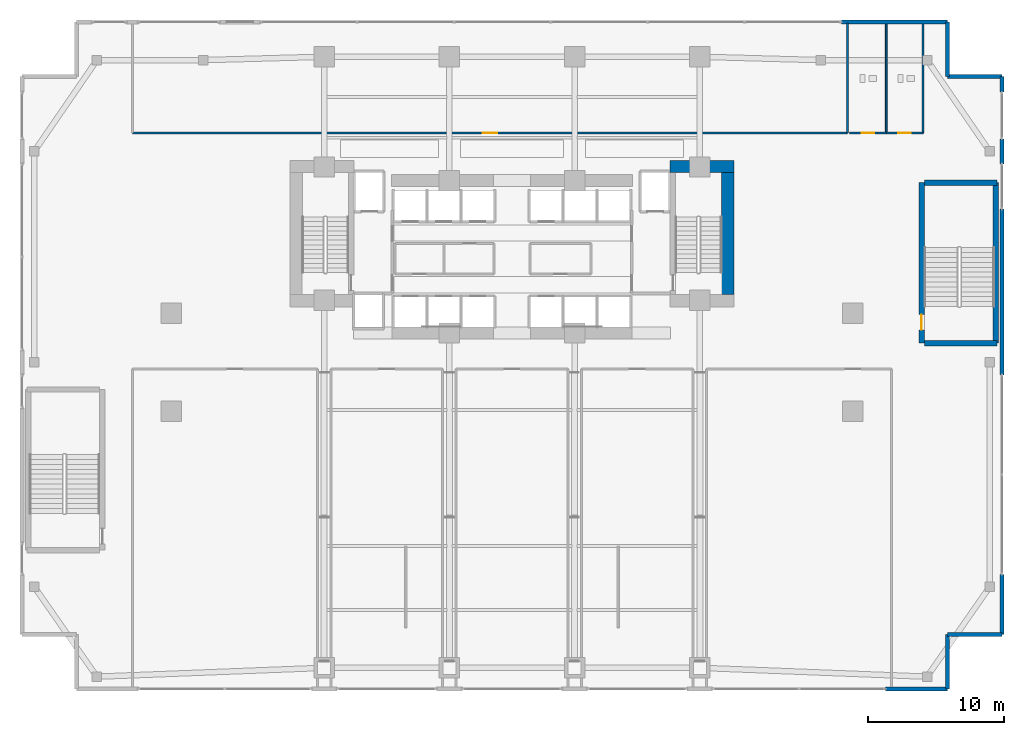
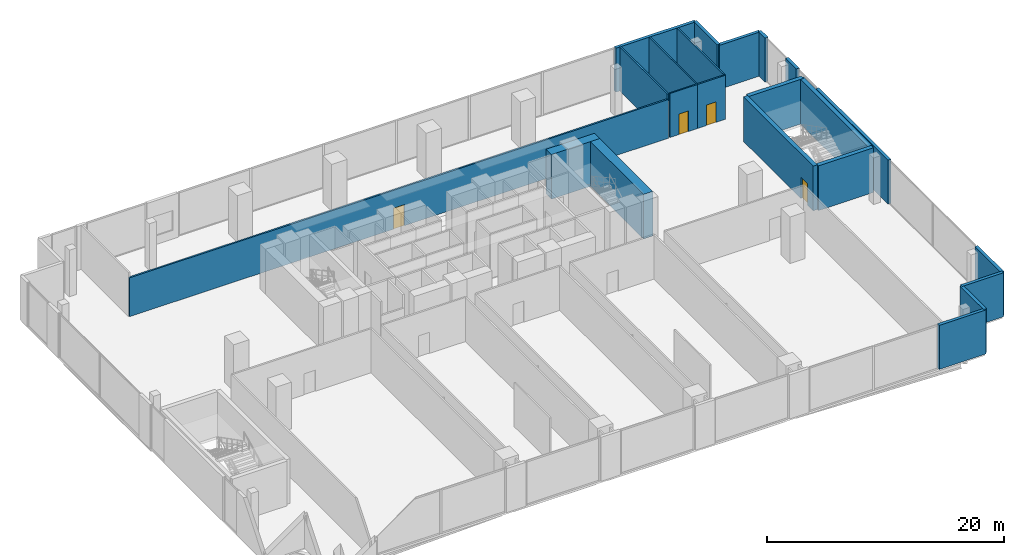
# One storey, part 28 of 33: 22 walls, 4 doors, 4 openings.
"""IFC4 building model written with IfcOpenShell, lengths in metres."""

from ifc_helpers import new_model, si_unit, direction, frame, frame_2d, origin, place, context, subcontext, project, spatial, rectangle, extrude, material, layer, layer_set, type_object, element, fill, save


model = new_model("IFC4")

# Units and contexts
model_context = context("Model", 3, precision=1e-05, world=origin(), true_north=direction((0.0, 1.0)))
body_context = subcontext(model_context, "Body", "Model", "MODEL_VIEW")
ifc_project = project(units=[si_unit("LENGTHUNIT", "METRE"), si_unit("AREAUNIT", "SQUARE_METRE"), si_unit("VOLUMEUNIT", "CUBIC_METRE"), si_unit("PLANEANGLEUNIT", "RADIAN"), si_unit("MASSUNIT", "GRAM", prefix="KILO")], contexts=[model_context])

# Site, building, storey
site_placement = place(None, origin())
site = spatial("IfcSite", under=ifc_project, at=site_placement, CompositionType="ELEMENT")
building_placement = place(site_placement, origin())
building = spatial("IfcBuilding", under=site, at=building_placement, Name="Zuhayl Quay Hotel", CompositionType="ELEMENT")
storey_placement = place(building_placement, frame((0.0, 0.0, 18.0)))
storey = spatial("IfcBuildingStorey", under=building, at=storey_placement, Name="L03", CompositionType="ELEMENT", Elevation=18.0)

# Walls
ifc_material_1 = material(Name="Concrete C70/85", Category="concrete")
ifc_layer_1 = layer(ifc_material_1, 0.89990234375, Name="Concrete C70/85", Category="concrete")
ifc_layer_set_1 = layer_set([ifc_layer_1], Name="Concrete C70/85")
wall_type_1 = type_object("IfcWallType", Name="WL_CORE_900", PredefinedType="SHEAR", material=ifc_layer_set_1)
wall_1_placement = place(storey_placement, frame((11.60009765625, 14.3798828125, 0.0), z_axis=(0.0, 0.0, 1.0), x_axis=(1.0, 0.0, 0.0)))
element("IfcWall", 1, at=wall_1_placement, inside=storey, type_object=wall_type_1, Name="L03 Core Shear Wall CW_NE", PredefinedType="SHEAR", context=body_context, shape_type="SweptSolid", body=[
    extrude(rectangle(XDim=4.7099609375, YDim=0.89990234375, at=frame_2d((2.35498046875, 0.0))), origin(), (0.0, 0.0, 1.0), 4.610107421875),
])
wall_2_placement = place(storey_placement, frame((15.860107421875, 4.969970703125, 0.0), z_axis=(0.0, 0.0, 1.0), x_axis=(0.0, 1.0, 0.0)))
element("IfcWall", 2, at=wall_2_placement, inside=storey, type_object=wall_type_1, Name="L03 Core Shear Wall CW_E", PredefinedType="SHEAR", context=body_context, shape_type="SweptSolid", body=[
    extrude(rectangle(XDim=8.9599609375, YDim=0.89990234375, at=frame_2d((4.47998046875, 0.0))), origin(), (0.0, 0.0, 1.0), 4.610107421875),
])
ifc_material_2 = material(Name="Precast concrete C45/55", Category="concrete")
ifc_layer_2 = layer(ifc_material_2, 0.300048828125, Name="Precast concrete C45/55", Category="concrete")
ifc_layer_set_2 = layer_set([ifc_layer_2], Name="Precast concrete C45/55")
wall_type_2 = type_object("IfcWallType", Name="WL_EXT_300", PredefinedType="STANDARD", material=ifc_layer_set_2)
wall_3_placement = place(storey_placement, frame((24.199951171875, 25.0, 0.0), z_axis=(0.0, 0.0, 1.0), x_axis=(1.0, 0.0, 0.0)))
element("IfcWall", 3, at=wall_3_placement, inside=storey, type_object=wall_type_2, Name="L03 Exterior Precast Wall ENV_L03_E05_EW4", PredefinedType="STANDARD", context=body_context, shape_type="SweptSolid", body=[
    extrude(rectangle(XDim=7.800048828125, YDim=0.300048828125, at=frame_2d((3.89990234375, 0.0))), origin(), (0.0, 0.0, 1.0), 4.5400390625),
])
for number, where, z_axis, x_axis, name in (
    (4, (32.0, 25.0, 0.0), (0.0, 0.0, 1.0), (0.0, -1.0, 0.0), "L03 Exterior Precast Wall ENV_L03_EW06"),
    (5, (32.0, 21.0, 0.0), (0.0, 0.0, 1.0), (1.0, 0.0, 0.0), "L03 Exterior Precast Wall ENV_L03_EW07"),
):
    element("IfcWall", number, at=place(storey_placement, frame(where, z_axis=z_axis, x_axis=x_axis)), inside=storey, type_object=wall_type_2, Name=name, PredefinedType="STANDARD", context=body_context, shape_type="SweptSolid", body=[
        extrude(rectangle(XDim=4.0, YDim=0.300048828125, at=frame_2d((2.0, 0.0))), origin(), (0.0, 0.0, 1.0), 4.5400390625),
    ])
wall_4_placement = place(storey_placement, frame((36.0, 21.0, 0.0), z_axis=(0.0, 0.0, 1.0), x_axis=(0.0, -1.0, 0.0)))
element("IfcWall", 6, at=wall_4_placement, inside=storey, type_object=wall_type_2, Name="L03 Exterior Precast Wall ENV_L03_E08_EW1", PredefinedType="STANDARD", context=body_context, shape_type="SweptSolid", body=[
    extrude(rectangle(XDim=1.14990234375, YDim=0.300048828125, at=frame_2d((0.574951171875, 0.0))), origin(), (0.0, 0.0, 1.0), 4.5400390625),
])
wall_5_placement = place(storey_placement, frame((36.0, 16.419921875, 0.0), z_axis=(0.0, 0.0, 1.0), x_axis=(0.0, -1.0, 0.0)))
element("IfcWall", 7, at=wall_5_placement, inside=storey, type_object=wall_type_2, Name="L03 Exterior Precast Wall ENV_L03_E08_EW2", PredefinedType="STANDARD", context=body_context, shape_type="SweptSolid", body=[
    extrude(rectangle(XDim=1.83984375, YDim=0.300048828125, at=frame_2d((0.919921875, 0.0))), origin(), (0.0, 0.0, 1.0), 4.5400390625),
])
wall_6_placement = place(storey_placement, frame((36.0, 11.25, 0.0), z_axis=(0.0, 0.0, 1.0), x_axis=(0.0, -1.0, 0.0)))
element("IfcWall", 8, at=wall_6_placement, inside=storey, type_object=wall_type_2, Name="L03 Exterior Precast Wall ENV_L03_E08_EW3", PredefinedType="STANDARD", context=body_context, shape_type="SweptSolid", body=[
    extrude(rectangle(XDim=12.169921875, YDim=0.300048828125, at=frame_2d((6.0849609375, 0.0))), origin(), (0.0, 0.0, 1.0), 4.5400390625),
])
wall_7_placement = place(storey_placement, frame((36.0, -15.580078125, 0.0), z_axis=(0.0, 0.0, 1.0), x_axis=(0.0, -1.0, 0.0)))
element("IfcWall", 9, at=wall_7_placement, inside=storey, type_object=wall_type_2, Name="L03 Exterior Precast Wall ENV_L03_E08_EW4", PredefinedType="STANDARD", context=body_context, shape_type="SweptSolid", body=[
    extrude(rectangle(XDim=4.419921875, YDim=0.300048828125, at=frame_2d((2.2099609375, 0.0))), origin(), (0.0, 0.0, 1.0), 4.5400390625),
])
for number, where, z_axis, x_axis, name in (
    (10, (36.0, -20.0, 0.0), (0.0, 0.0, 1.0), (-1.0, 0.0, 0.0), "L03 Exterior Precast Wall ENV_L03_EW09"),
    (11, (32.0, -20.0, 0.0), (0.0, 0.0, 1.0), (0.0, -1.0, 0.0), "L03 Exterior Precast Wall ENV_L03_EW10"),
):
    element("IfcWall", number, at=place(storey_placement, frame(where, z_axis=z_axis, x_axis=x_axis)), inside=storey, type_object=wall_type_2, Name=name, PredefinedType="STANDARD", context=body_context, shape_type="SweptSolid", body=[
        extrude(rectangle(XDim=4.0, YDim=0.300048828125, at=frame_2d((2.0, 0.0))), origin(), (0.0, 0.0, 1.0), 4.5400390625),
    ])
wall_8_placement = place(storey_placement, frame((32.0, -24.0, 0.0), z_axis=(0.0, 0.0, 1.0), x_axis=(-1.0, 0.0, 0.0)))
element("IfcWall", 12, at=wall_8_placement, inside=storey, type_object=wall_type_2, Name="L03 Exterior Precast Wall ENV_L03_E11_EW1", PredefinedType="STANDARD", context=body_context, shape_type="SweptSolid", body=[
    extrude(rectangle(XDim=4.550048828125, YDim=0.300048828125, at=frame_2d((2.27490234375, 0.0))), origin(), (0.0, 0.0, 1.0), 4.5400390625),
])
ifc_material_3 = material(Name="Acoustic Gypsum Partition STC-58")
ifc_layer_3 = layer(ifc_material_3, 0.14990234375, Name="Acoustic Gypsum Partition STC-58")
ifc_layer_set_3 = layer_set([ifc_layer_3], Name="Acoustic Gypsum Partition STC-58")
wall_type_3 = type_object("IfcWallType", Name="WL_PART_150", PredefinedType="PARTITIONING", material=ifc_layer_set_3)
wall_9_placement = place(storey_placement, frame((24.64990234375, 16.85009765625, 0.0), z_axis=(0.0, 0.0, 1.0), x_axis=(0.0, 1.0, 0.0)))
element("IfcWall", 13, at=wall_9_placement, inside=storey, type_object=wall_type_3, Name="L03 Partition IW_L03_PRE_FUNC_N_E", PredefinedType="PARTITIONING", context=body_context, shape_type="SweptSolid", body=[
    extrude(rectangle(XDim=8.08984375, YDim=0.14990234375, at=frame_2d((4.044921875, 0.0))), origin(), (0.0, 0.0, 1.0), 4.5400390625),
])

# Wall, opening, door
ifc_layer_4 = layer(ifc_material_3, 0.159912109375, Name="Acoustic Gypsum Partition STC-58")
ifc_layer_set_4 = layer_set([ifc_layer_4], Name="Acoustic Gypsum Partition STC-58")
wall_type_4 = type_object("IfcWallType", Name="WL_PART_CORR_160", PredefinedType="PARTITIONING", material=ifc_layer_set_4)
wall_10_placement = place(storey_placement, frame((-27.89990234375, 16.85009765625, 0.0), z_axis=(0.0, 0.0, 1.0), x_axis=(1.0, 0.0, 0.0)))
wall_10 = element("IfcWall", 14, at=wall_10_placement, inside=storey, type_object=wall_type_4, Name="L03 Partition IW_L03_PRE_FUNC_N_S", PredefinedType="PARTITIONING", context=body_context, shape_type="SweptSolid", body=[
    extrude(rectangle(XDim=52.5498046875, YDim=0.159912109375, at=frame_2d((26.27490234375, 0.0))), origin(), (0.0, 0.0, 1.0), 4.007080078125),
])
opening_1_placement = place(wall_10_placement, frame((25.735107421875, 0.0, 0.0)))
opening_1 = element("IfcOpeningElement", 15, at=opening_1_placement, cuts=wall_10, Name="Opening D05A", PredefinedType="OPENING", context=body_context, shape_type="SweptSolid", body=[
    extrude(rectangle(XDim=1.080078125, YDim=2.179931640625, at=frame_2d((0.5400390625, 1.08984375))), frame((0.0, 0.08984375, 0.0), z_axis=(0.0, -1.0, 0.0), x_axis=(1.0, 0.0, 0.0)), (0.0, 0.0, 1.0), 0.179931640625),
])
ifc_material_4 = material(Name="Solid Walnut Acoustic Fire Door")
door_type_1 = type_object("IfcDoorType", Name="DR_INT_1100", OperationType="NOTDEFINED", PredefinedType="DOOR", material=ifc_material_4)
door_1_placement = place(opening_1_placement, origin())
door_1 = element("IfcDoor", 16, at=door_1_placement, inside=storey, type_object=door_type_1, Name="L03 Seaward Breakout Lounge Door", OperationType="SINGLE_SWING_RIGHT", OverallHeight=2.179931640625, OverallWidth=1.080078125, PredefinedType="DOOR", context=body_context, shape_type="SweptSolid", body=[
    extrude(rectangle(XDim=1.080078125, YDim=2.179931640625, at=frame_2d((0.5400390625, 1.08984375))), frame((0.0, 0.02490234375, 0.0), z_axis=(0.0, -1.0, 0.0), x_axis=(1.0, 0.0, 0.0)), (0.0, 0.0, 1.0), 0.050048828125),
])
fill(opening_1, door_1)

ifc_material_5 = material(Name="Moisture-Resistant Sanitarychase Gypsum")
ifc_layer_5 = layer(ifc_material_5, 0.135009765625, Name="Moisture-Resistant Sanitarychase Gypsum")
ifc_layer_set_5 = layer_set([ifc_layer_5], Name="Moisture-Resistant Sanitarychase Gypsum")
wall_type_5 = type_object("IfcWallType", Name="WL_PART_PLUMB_150", PredefinedType="PLUMBINGWALL", material=ifc_layer_set_5)
wall_11_placement = place(storey_placement, frame((24.800048828125, 16.85009765625, 0.0), z_axis=(0.0, 0.0, 1.0), x_axis=(1.0, 0.0, 0.0)))
wall_11 = element("IfcWall", 17, at=wall_11_placement, inside=storey, type_object=wall_type_5, Name="L03 Partition IW_L03_PWC_PUB_F", PredefinedType="PLUMBINGWALL", context=body_context, shape_type="SweptSolid", body=[
    extrude(rectangle(XDim=2.699951171875, YDim=0.135009765625, at=frame_2d((1.35009765625, 0.0))), origin(), (0.0, 0.0, 1.0), 4.5400390625),
])
opening_2_placement = place(wall_11_placement, frame((0.889892578125, 0.0, 0.0)))
opening_2 = element("IfcOpeningElement", 18, at=opening_2_placement, cuts=wall_11, Name="Opening D05", PredefinedType="OPENING", context=body_context, shape_type="SweptSolid", body=[
    extrude(rectangle(XDim=0.919921875, YDim=2.1201171875, at=frame_2d((0.4599609375, 1.06005859375))), frame((0.0, 0.077392578125, 0.0), z_axis=(0.0, -1.0, 0.0), x_axis=(1.0, 0.0, 0.0)), (0.0, 0.0, 1.0), 0.155029296875),
])
door_type_2 = type_object("IfcDoorType", Name="DR_INT_950", OperationType="NOTDEFINED", PredefinedType="DOOR", material=ifc_material_4)
door_2_placement = place(opening_2_placement, origin())
door_2 = element("IfcDoor", 19, at=door_2_placement, inside=storey, type_object=door_type_2, Name="L03 Public Restroom Door", OperationType="SINGLE_SWING_LEFT", OverallHeight=2.1201171875, OverallWidth=0.919921875, PredefinedType="DOOR", context=body_context, shape_type="SweptSolid", body=[
    extrude(rectangle(XDim=0.919921875, YDim=2.1201171875, at=frame_2d((0.4599609375, 1.06005859375))), frame((0.0, 0.02490234375, 0.0), z_axis=(0.0, -1.0, 0.0), x_axis=(1.0, 0.0, 0.0)), (0.0, 0.0, 1.0), 0.050048828125),
])
fill(opening_2, door_2)

wall_12_placement = place(storey_placement, frame((27.5, 16.85009765625, 0.0), z_axis=(0.0, 0.0, 1.0), x_axis=(1.0, 0.0, 0.0)))
wall_12 = element("IfcWall", 20, at=wall_12_placement, inside=storey, type_object=wall_type_5, Name="L03 Partition IW_L03_PWC_ACC_F", PredefinedType="PLUMBINGWALL", context=body_context, shape_type="SweptSolid", body=[
    extrude(rectangle(XDim=2.699951171875, YDim=0.135009765625, at=frame_2d((1.35009765625, 0.0))), origin(), (0.0, 0.0, 1.0), 4.5400390625),
])
opening_3_placement = place(wall_12_placement, frame((0.889892578125, 0.0, 0.0)))
opening_3 = element("IfcOpeningElement", 21, at=opening_3_placement, cuts=wall_12, Name="Opening D05", PredefinedType="OPENING", context=body_context, shape_type="SweptSolid", body=[
    extrude(rectangle(XDim=0.919921875, YDim=2.1201171875, at=frame_2d((0.4599609375, 1.06005859375))), frame((0.0, 0.077392578125, 0.0), z_axis=(0.0, -1.0, 0.0), x_axis=(1.0, 0.0, 0.0)), (0.0, 0.0, 1.0), 0.155029296875),
])
door_3_placement = place(opening_3_placement, origin())
door_3 = element("IfcDoor", 22, at=door_3_placement, inside=storey, type_object=door_type_2, Name="L03 Accessible Wheelchair WC Door", OperationType="SINGLE_SWING_RIGHT", OverallHeight=2.1201171875, OverallWidth=0.919921875, PredefinedType="DOOR", context=body_context, shape_type="SweptSolid", body=[
    extrude(rectangle(XDim=0.919921875, YDim=2.1201171875, at=frame_2d((0.4599609375, 1.06005859375))), frame((0.0, 0.02490234375, 0.0), z_axis=(0.0, -1.0, 0.0), x_axis=(1.0, 0.0, 0.0)), (0.0, 0.0, 1.0), 0.050048828125),
])
fill(opening_3, door_3)

# Walls
for number, where, z_axis, x_axis, name in (
    (23, (30.199951171875, 16.85009765625, 0.0), (0.0, 0.0, 1.0), (0.0, 1.0, 0.0), "L03 Partition IW_L03_PWC_E"),
    (24, (27.5, 16.85009765625, 0.0), (0.0, 0.0, 1.0), (0.0, 1.0, 0.0), "L03 Partition IW_L03_PWC_DIV"),
):
    element("IfcWall", number, at=place(storey_placement, frame(where, z_axis=z_axis, x_axis=x_axis)), inside=storey, type_object=wall_type_5, Name=name, PredefinedType="PLUMBINGWALL", context=body_context, shape_type="SweptSolid", body=[
        extrude(rectangle(XDim=8.0, YDim=0.135009765625, at=frame_2d((4.0, 0.0))), origin(), (0.0, 0.0, 1.0), 4.5400390625),
    ])

# Wall, opening, door
ifc_material_6 = material(Name="Concrete C60/75", Category="concrete")
ifc_layer_6 = layer(ifc_material_6, 0.39990234375, Name="Concrete C60/75", Category="concrete")
ifc_layer_set_6 = layer_set([ifc_layer_6], Name="Concrete C60/75")
wall_type_6 = type_object("IfcWallType", Name="WL_STAIR_400", PredefinedType="SHEAR", material=ifc_layer_set_6)
wall_13_placement = place(storey_placement, frame((30.10009765625, 13.199951171875, 0.0), z_axis=(0.0, 0.0, 1.0), x_axis=(0.0, -1.0, 0.0)))
wall_13 = element("IfcWall", 25, at=wall_13_placement, inside=storey, type_object=wall_type_6, Name="L03 Podium Stair Shear Wall SW_ST4_W", PredefinedType="SHEAR", context=body_context, shape_type="SweptSolid", body=[
    extrude(rectangle(XDim=11.800048828125, YDim=0.39990234375, at=frame_2d((5.89990234375, 0.0))), origin(), (0.0, 0.0, 1.0), 4.610107421875),
])
opening_4_placement = place(wall_13_placement, frame((9.699951171875, 0.0, 0.0)))
opening_4 = element("IfcOpeningElement", 26, at=opening_4_placement, cuts=wall_13, Name="Opening D01", PredefinedType="OPENING", context=body_context, shape_type="SweptSolid", body=[
    extrude(rectangle(XDim=1.1201171875, YDim=2.219970703125, at=frame_2d((0.56005859375, 1.10986328125))), frame((0.0, 0.2099609375, 0.0), z_axis=(0.0, -1.0, 0.0), x_axis=(1.0, 0.0, 0.0)), (0.0, 0.0, 1.0), 0.419921875),
])
ifc_material_7 = material(Name="Steel ASTM A992 Grade 50", Category="steel")
door_type_3 = type_object("IfcDoorType", Name="DR_STAIR_90_1100", OperationType="NOTDEFINED", PredefinedType="DOOR", material=ifc_material_7)
door_4_placement = place(opening_4_placement, origin())
door_4 = element("IfcDoor", 27, at=door_4_placement, inside=storey, type_object=door_type_3, Name="L03 Podium Exit Stair ST4 Door", OperationType="SINGLE_SWING_LEFT", OverallHeight=2.219970703125, OverallWidth=1.1201171875, PredefinedType="DOOR", context=body_context, shape_type="SweptSolid", body=[
    extrude(rectangle(XDim=1.1201171875, YDim=2.219970703125, at=frame_2d((0.56005859375, 1.10986328125))), frame((0.0, 0.02490234375, 0.0), z_axis=(0.0, -1.0, 0.0), x_axis=(1.0, 0.0, 0.0)), (0.0, 0.0, 1.0), 0.050048828125),
])
fill(opening_4, door_4)

# Walls
for number, where, z_axis, x_axis, name in (
    (28, (30.300048828125, 1.39990234375, 0.0), (0.0, 0.0, 1.0), (1.0, 0.0, 0.0), "L03 Podium Stair Shear Wall SW_ST4_S"),
    (29, (30.300048828125, 13.199951171875, 0.0), (0.0, 0.0, 1.0), (1.0, 0.0, 0.0), "L03 Podium Stair Shear Wall SW_ST4_N"),
):
    element("IfcWall", number, at=place(storey_placement, frame(where, z_axis=z_axis, x_axis=x_axis)), inside=storey, type_object=wall_type_6, Name=name, PredefinedType="SHEAR", context=body_context, shape_type="SweptSolid", body=[
        extrude(rectangle(XDim=5.349853515625, YDim=0.39990234375, at=frame_2d((2.6748046875, 0.0))), origin(), (0.0, 0.0, 1.0), 4.610107421875),
    ])
wall_14_placement = place(storey_placement, frame((35.550048828125, 1.39990234375, 0.0), z_axis=(0.0, 0.0, 1.0), x_axis=(0.0, 1.0, 0.0)))
element("IfcWall", 30, at=wall_14_placement, inside=storey, type_object=wall_type_6, Name="L03 Podium Stair Shear Wall SW_ST4_E", PredefinedType="SHEAR", context=body_context, shape_type="SweptSolid", body=[
    extrude(rectangle(XDim=11.800048828125, YDim=0.39990234375, at=frame_2d((5.89990234375, 0.0))), origin(), (0.0, 0.0, 1.0), 4.610107421875),
])

save(model, "model.ifc")
